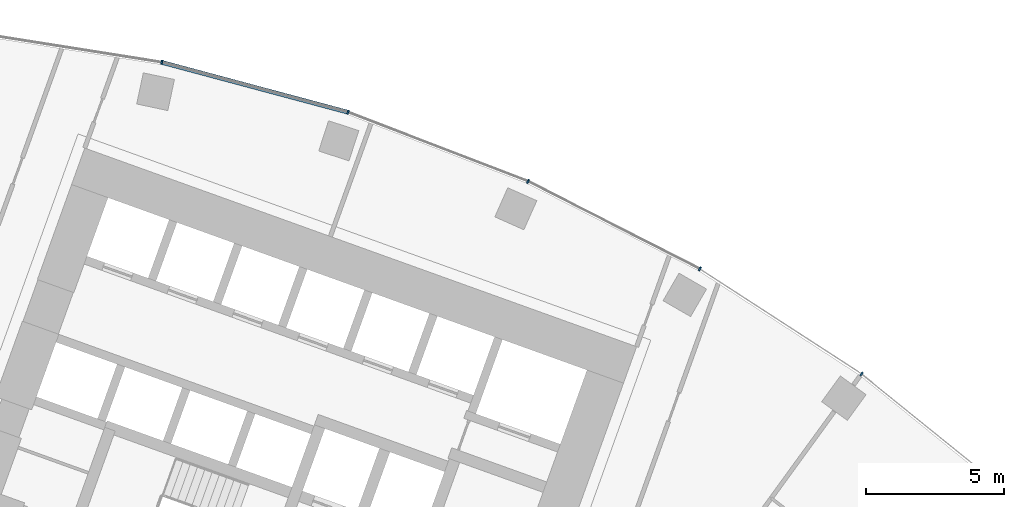
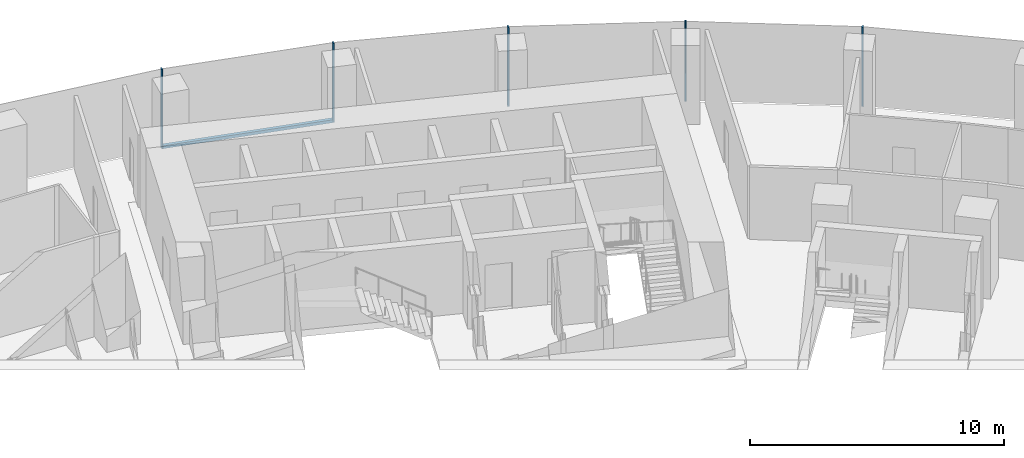
# One storey, part 11 of 21: 6 members, 1 element without a shape of its own.
"""IFC4 building model written with IfcOpenShell, lengths in metres."""

from ifc_helpers import new_model, si_unit, direction, frame, origin, origin_2d, place, context, subcontext, project, spatial, rectangle, extrude, material, layer, layer_set, material_profile, profile_set, type_object, element, aggregate, save


model = new_model("IFC4")

# Units and contexts
model_context = context("Model", 3, precision=1e-05, world=origin(), true_north=direction((0.0, 1.0)))
body_context = subcontext(model_context, "Body", "Model", "MODEL_VIEW")
ifc_project = project(units=[si_unit("LENGTHUNIT", "METRE"), si_unit("AREAUNIT", "SQUARE_METRE"), si_unit("VOLUMEUNIT", "CUBIC_METRE"), si_unit("PLANEANGLEUNIT", "RADIAN"), si_unit("MASSUNIT", "GRAM", prefix="KILO")], contexts=[model_context])

# Site, building, storey
site_placement = place(None, origin())
site = spatial("IfcSite", under=ifc_project, at=site_placement, CompositionType="ELEMENT")
building_placement = place(site_placement, origin())
building = spatial("IfcBuilding", under=site, at=building_placement, Name="Stone Belt Terrace Tower", CompositionType="ELEMENT")
storey_placement = place(building_placement, frame((0.0, 0.0, 90.800048828125)))
storey = spatial("IfcBuildingStorey", under=building, at=storey_placement, Name="L21", CompositionType="ELEMENT", Elevation=90.800048828125)

# Curtain wall, members
ifc_material = material(Name="Aluminium 6063-T6 anodised frame", Category="aluminium")
ifc_layer = layer(ifc_material, 0.14990234375)
ifc_layer_set = layer_set([ifc_layer], Name="CW-A unitised convex-face curtain wall")
curtain_wall_type = type_object("IfcCurtainWallType", Name="CW-A unitised convex-face curtain wall", PredefinedType="NOTDEFINED", material=ifc_layer_set)
curtain_wall_placement = place(storey_placement, origin())
curtain_wall = element("IfcCurtainWall", 1, at=curtain_wall_placement, inside=storey, type_object=curtain_wall_type, Name="CW-A convex face L21", PredefinedType="NOTDEFINED")
ifc_material_profile_1 = material_profile(ifc_material, rectangle(XDim=0.14990234375, YDim=0.06005859375, at=origin_2d()), Name="Aluminium 6063-T6 60x150")
ifc_profile_set_1 = profile_set([ifc_material_profile_1], Name="Aluminium 6063-T6 anodised frame")
member_type_1 = type_object("IfcMemberType", Name="CW-A mullion 60 x 150", PredefinedType="MULLION", material=ifc_profile_set_1)
member_1_placement = place(storey_placement, frame((39.1318359375, 53.8603515625, 0.0), z_axis=(0.0, 0.0, 1.0), x_axis=(-0.587785252292, -0.809016994375, 0.0)))
member_1 = element("IfcMember", 2, at=member_1_placement, type_object=member_type_1, Name="CW-A mullion 4", PredefinedType="MULLION", context=body_context, shape_type="SweptSolid", body=[
    extrude(rectangle(XDim=0.14990234375, YDim=0.06005859375, at=origin_2d()), origin(), (0.0, 0.0, 1.0), 3.800048828125),
])
member_2_placement = place(storey_placement, frame((33.28759765625, 57.65576171875, 0.0), z_axis=(0.0, 0.0, 1.0), x_axis=(-0.5, -0.866025403784, 0.0)))
member_2 = element("IfcMember", 3, at=member_2_placement, type_object=member_type_1, Name="CW-A mullion 5", PredefinedType="MULLION", context=body_context, shape_type="SweptSolid", body=[
    extrude(rectangle(XDim=0.14990234375, YDim=0.06005859375, at=origin_2d()), origin(), (0.0, 0.0, 1.0), 3.800048828125),
])
member_3_placement = place(storey_placement, frame((27.07861328125, 60.8193359375, 0.0), z_axis=(0.0, 0.0, 1.0), x_axis=(-0.406736643076, -0.913545457643, 0.0)))
member_3 = element("IfcMember", 4, at=member_3_placement, type_object=member_type_1, Name="CW-A mullion 6", PredefinedType="MULLION", context=body_context, shape_type="SweptSolid", body=[
    extrude(rectangle(XDim=0.14990234375, YDim=0.06005859375, at=origin_2d()), origin(), (0.0, 0.0, 1.0), 3.800048828125),
])
member_4_placement = place(storey_placement, frame((20.57275390625, 63.316650390625, 0.0), z_axis=(0.0, 0.0, 1.0), x_axis=(-0.309016994375, -0.951056516295, 0.0)))
member_4 = element("IfcMember", 5, at=member_4_placement, type_object=member_type_1, Name="CW-A mullion 7", PredefinedType="MULLION", context=body_context, shape_type="SweptSolid", body=[
    extrude(rectangle(XDim=0.14990234375, YDim=0.06005859375, at=origin_2d()), origin(), (0.0, 0.0, 1.0), 3.800048828125),
])
member_5_placement = place(storey_placement, frame((13.841796875, 65.120361328125, 0.0), z_axis=(0.0, 0.0, 1.0), x_axis=(-0.207911690818, -0.978147600734, 0.0)))
member_5 = element("IfcMember", 6, at=member_5_placement, type_object=member_type_1, Name="CW-A mullion 8", PredefinedType="MULLION", context=body_context, shape_type="SweptSolid", body=[
    extrude(rectangle(XDim=0.14990234375, YDim=0.06005859375, at=origin_2d()), origin(), (0.0, 0.0, 1.0), 3.800048828125),
])
ifc_material_profile_2 = material_profile(ifc_material, rectangle(XDim=0.14990234375, YDim=0.139892578125, at=origin_2d()), Name="Aluminium 6063-T6 150x140")
ifc_profile_set_2 = profile_set([ifc_material_profile_2], Name="Aluminium 6063-T6 anodised frame")
member_type_2 = type_object("IfcMemberType", Name="CW-A transom 140 x 150", PredefinedType="USERDEFINED", material=ifc_profile_set_2)
member_6_placement = place(storey_placement, frame((20.5400390625, 63.325439453125, 0.070068359375), z_axis=(-0.965921835863, 0.258833937117, 0.0), x_axis=(-0.258833937117, -0.965921835863, 0.0)))
member_6 = element("IfcMember", 7, at=member_6_placement, type_object=member_type_2, Name="CW-A transom 7.1", ObjectType="TRANSOM", PredefinedType="USERDEFINED", context=body_context, shape_type="SweptSolid", body=[
    extrude(rectangle(XDim=0.14990234375, YDim=0.139892578125, at=origin_2d()), origin(), (0.0, 0.0, 1.0), 6.900634765625),
])
aggregate(curtain_wall, [member_1, member_2, member_3, member_4, member_5, member_6])

save(model, "model.ifc")
